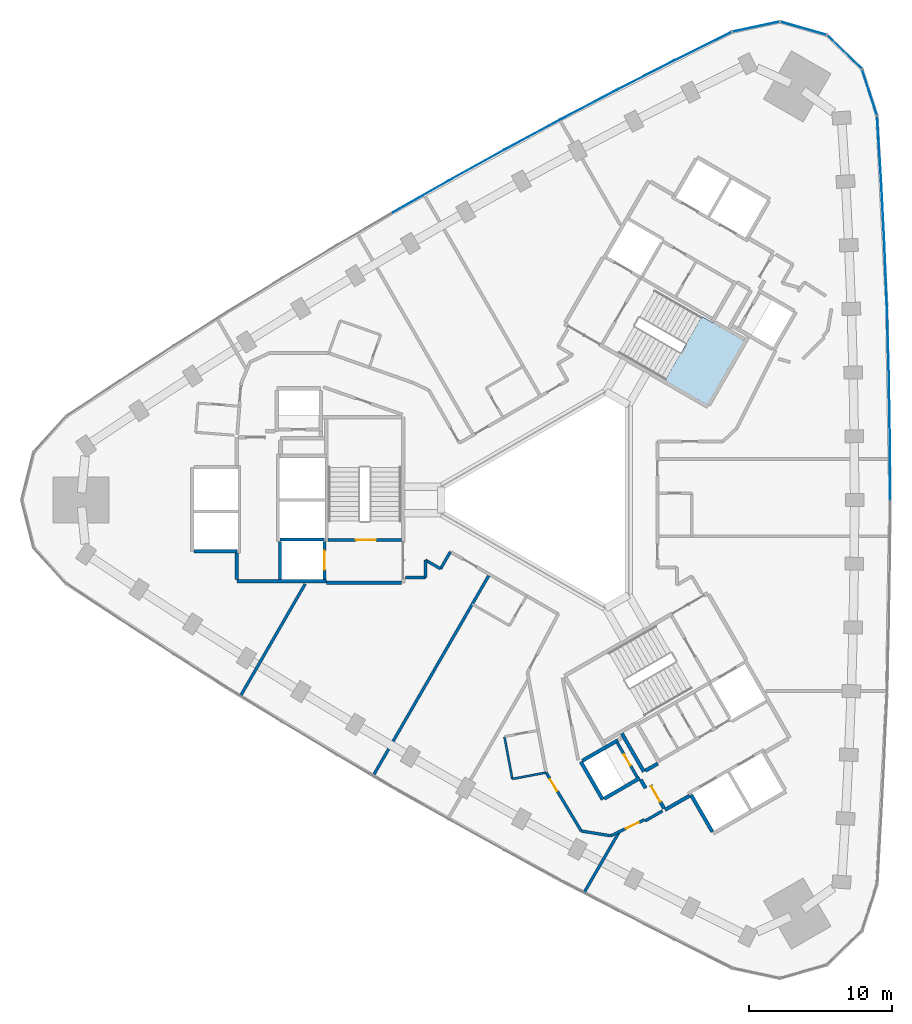
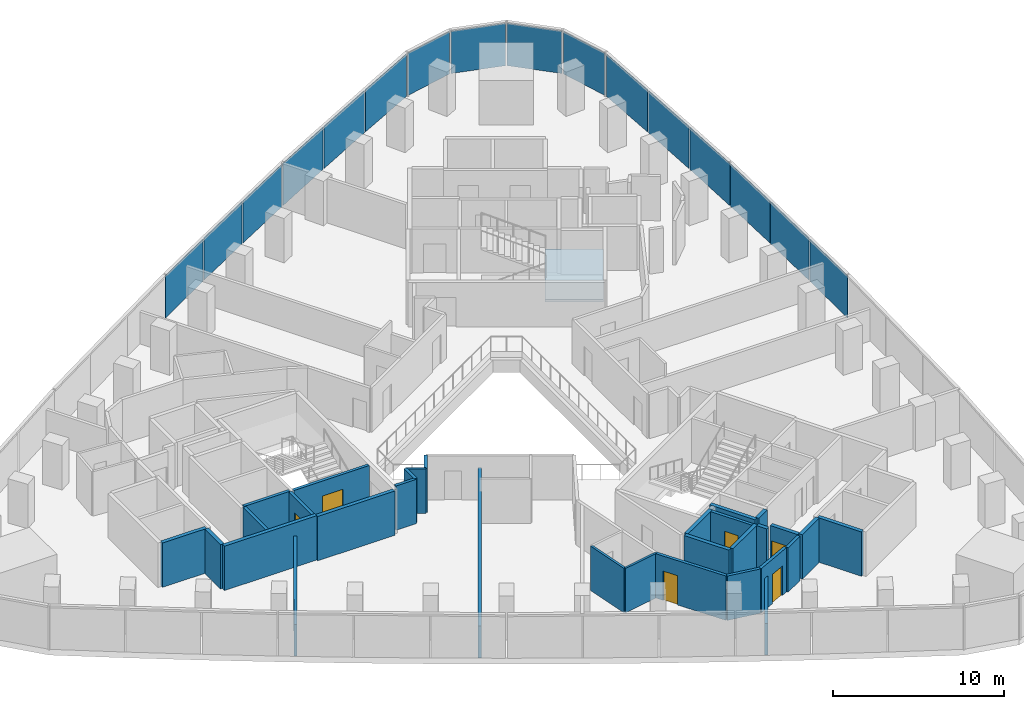
# One storey, part 7 of 12: 31 walls, 16 plates, 6 doors, 1 slab, 6 openings, 3 elements without a shape of their own.
"""IFC4 building model written with IfcOpenShell, lengths in metres."""

from ifc_helpers import new_model, si_unit, direction, frame, frame_2d, origin, origin_2d, place, context, subcontext, project, spatial, polyline, rectangle, outline, extrude, material, layer, layer_set, type_object, element, fill, aggregate, save


model = new_model("IFC4")

# Units and contexts
model_context = context("Model", 3, precision=1e-05, world=origin(), true_north=direction((0.0, 1.0)))
body_context = subcontext(model_context, "Body", "Model", "MODEL_VIEW")
ifc_project = project(units=[si_unit("LENGTHUNIT", "METRE"), si_unit("AREAUNIT", "SQUARE_METRE"), si_unit("VOLUMEUNIT", "CUBIC_METRE"), si_unit("PLANEANGLEUNIT", "RADIAN"), si_unit("MASSUNIT", "GRAM", prefix="KILO")], contexts=[model_context])

# Site, building, storey
site_placement = place(None, origin())
site = spatial("IfcSite", under=ifc_project, at=site_placement, CompositionType="ELEMENT")
building_placement = place(site_placement, origin())
building = spatial("IfcBuilding", under=site, at=building_placement, Name="Tamra Quay Hotel Tower", CompositionType="ELEMENT")
storey_placement = place(building_placement, frame((0.0, 0.0, 93.800048828125)))
storey = spatial("IfcBuildingStorey", under=building, at=storey_placement, Name="L22", CompositionType="ELEMENT", Elevation=93.800048828125)

# Stair, slab
ifc_material_1 = material(Name="Exit stair 2200 24 risers 150.0 going 342")
stair_type = type_object("IfcStairType", Name="Exit stair 2200 24 risers 150.0 going 342", PredefinedType="HALF_TURN_STAIR", material=ifc_material_1)
stair_placement = place(storey_placement, origin())
stair = element("IfcStair", 1, at=stair_placement, inside=storey, type_object=stair_type, Name="L22 Exit stair ST1", PredefinedType="HALF_TURN_STAIR")
ifc_material_2 = material(Name="Concrete M70", Category="concrete")
ifc_layer_1 = layer(ifc_material_2, 0.175048828125)
ifc_layer_set_1 = layer_set([ifc_layer_1], Name="Concrete M70 stair landing 180")
slab_type = type_object("IfcSlabType", Name="Concrete M70 stair landing 180", PredefinedType="LANDING", material=ifc_layer_set_1)
slab_placement = place(storey_placement, frame((0.0, 0.0, 1.625)))
slab = element("IfcSlab", 2, at=slab_placement, type_object=slab_type, Name="ST1 landing 1", PredefinedType="LANDING", context=body_context, shape_type="SweptSolid", body=[
    extrude(outline(polyline([(7.425048828125, 8.336669921875), (10.385009765625, 6.627685546875), (12.964599609375, 11.095458984375), (10.00439453125, 12.804443359375), (7.425048828125, 8.336669921875)])), origin(), (0.0, 0.0, 1.0), 0.175048828125),
])
aggregate(stair, [slab])

# Curtain wall, plates
ifc_material_3 = material(Name="Aluminium 6063 anodised dark grey", Category="aluminium")
curtain_wall_type_1 = type_object("IfcCurtainWallType", Name="CW1 CURTAIN WALL", PredefinedType="NOTDEFINED", material=ifc_material_3)
curtain_wall_1_placement = place(storey_placement, origin())
curtain_wall_1 = element("IfcCurtainWall", 3, at=curtain_wall_1_placement, inside=storey, type_object=curtain_wall_type_1, Name="CW1 east face L22", PredefinedType="NOTDEFINED")
ifc_material_4 = material(Name="Glass clear laminated low-iron", Category="glass")
ifc_layer_2 = layer(ifc_material_4, 0.033935546875)
ifc_layer_set_2 = layer_set([ifc_layer_2], Name="GLASS PANEL CW1 Z2")
plate_type_1 = type_object("IfcPlateType", Name="GLASS PANEL CW1 Z2", PredefinedType="CURTAIN_PANEL", material=ifc_layer_set_2)
plate_1_placement = place(storey_placement, frame((23.132080078125, 2.236572265625, 0.0), z_axis=(0.0, 0.0, 1.0), x_axis=(-0.00571269185, 0.999983682443, 0.0)))
plate_1 = element("IfcPlate", 4, at=plate_1_placement, type_object=plate_type_1, Name="CW1 glass L22.E.7", PredefinedType="CURTAIN_PANEL", context=body_context, shape_type="SweptSolid", body=[
    extrude(rectangle(XDim=4.373291015625, YDim=0.033935546875, at=origin_2d()), origin(), (0.0, 0.0, 1.0), 3.034912109375),
])
plate_2_placement = place(storey_placement, frame((23.080810546875, 6.70947265625, 0.0), z_axis=(0.0, 0.0, 1.0), x_axis=(-0.017133948461, 0.99985320313, 0.0)))
plate_2 = element("IfcPlate", 5, at=plate_2_placement, type_object=plate_type_1, Name="CW1 glass L22.E.8", PredefinedType="CURTAIN_PANEL", context=body_context, shape_type="SweptSolid", body=[
    extrude(rectangle(XDim=4.373291015625, YDim=0.033935546875, at=origin_2d()), origin(), (0.0, 0.0, 1.0), 3.034912109375),
])
plate_3_placement = place(storey_placement, frame((22.978759765625, 11.181396484375, 0.0), z_axis=(0.0, 0.0, 1.0), x_axis=(-0.028546324212, 0.999592470647, 0.0)))
plate_3 = element("IfcPlate", 6, at=plate_3_placement, type_object=plate_type_1, Name="CW1 glass L22.E.9", PredefinedType="CURTAIN_PANEL", context=body_context, shape_type="SweptSolid", body=[
    extrude(rectangle(XDim=4.373291015625, YDim=0.033935546875, at=origin_2d()), origin(), (0.0, 0.0, 1.0), 3.034912109375),
])
plate_4_placement = place(storey_placement, frame((22.825439453125, 15.652099609375, 0.0), z_axis=(0.0, 0.0, 1.0), x_axis=(-0.039943885581, 0.99920192454, 0.0)))
plate_4 = element("IfcPlate", 7, at=plate_4_placement, type_object=plate_type_1, Name="CW1 glass L22.E.10", PredefinedType="CURTAIN_PANEL", context=body_context, shape_type="SweptSolid", body=[
    extrude(rectangle(XDim=4.373291015625, YDim=0.033935546875, at=origin_2d()), origin(), (0.0, 0.0, 1.0), 3.034912109375),
])
plate_5_placement = place(storey_placement, frame((22.621337890625, 20.12060546875, 0.0), z_axis=(0.0, 0.0, 1.0), x_axis=(-0.051320736558, 0.998682222731, 0.0)))
plate_5 = element("IfcPlate", 8, at=plate_5_placement, type_object=plate_type_1, Name="CW1 glass L22.E.11", PredefinedType="CURTAIN_PANEL", context=body_context, shape_type="SweptSolid", body=[
    extrude(rectangle(XDim=4.373291015625, YDim=0.033935546875, at=origin_2d()), origin(), (0.0, 0.0, 1.0), 3.034912109375),
])
plate_6_placement = place(storey_placement, frame((22.366455078125, 24.5859375, 0.0), z_axis=(0.0, 0.0, 1.0), x_axis=(-0.062669917068, 0.998034308776, 0.0)))
plate_6 = element("IfcPlate", 9, at=plate_6_placement, type_object=plate_type_1, Name="CW1 glass L22.E.12", PredefinedType="CURTAIN_PANEL", context=body_context, shape_type="SweptSolid", body=[
    extrude(rectangle(XDim=4.372314453125, YDim=0.033935546875, at=origin_2d()), origin(), (0.0, 0.0, 1.0), 3.034912109375),
])
plate_7_placement = place(storey_placement, frame((21.70166015625, 28.43994140625, 0.0), z_axis=(0.0, 0.0, 1.0), x_axis=(-0.307790863622, 0.951454036867, 0.0)))
plate_7 = element("IfcPlate", 10, at=plate_7_placement, type_object=plate_type_1, Name="CW1 glass L22.E.13", PredefinedType="CURTAIN_PANEL", context=body_context, shape_type="SweptSolid", body=[
    extrude(rectangle(XDim=3.31005859375, YDim=0.033935546875, at=origin_2d()), origin(), (0.0, 0.0, 1.0), 3.034912109375),
])
plate_8_placement = place(storey_placement, frame((19.95068359375, 31.247314453125, 0.0), z_axis=(0.0, 0.0, 1.0), x_axis=(-0.71904127153, 0.694967373217, 0.0)))
plate_8 = element("IfcPlate", 11, at=plate_8_placement, type_object=plate_type_1, Name="CW1 glass L22.E.14", PredefinedType="CURTAIN_PANEL", context=body_context, shape_type="SweptSolid", body=[
    extrude(rectangle(XDim=3.31005859375, YDim=0.033935546875, at=origin_2d()), origin(), (0.0, 0.0, 1.0), 3.034912109375),
])
plate_9_placement = place(storey_placement, frame((17.08544921875, 32.9013671875, 0.0), z_axis=(0.0, 0.0, 1.0), x_axis=(-0.961380035772, 0.275224320906, 0.0)))
plate_9 = element("IfcPlate", 12, at=plate_9_placement, type_object=plate_type_1, Name="CW1 glass L22.E.15", PredefinedType="CURTAIN_PANEL", context=body_context, shape_type="SweptSolid", body=[
    extrude(rectangle(XDim=3.31005859375, YDim=0.033935546875, at=origin_2d()), origin(), (0.0, 0.0, 1.0), 3.034912109375),
])
plate_10_placement = place(storey_placement, frame((13.779052734375, 33.01416015625, 0.0), z_axis=(0.0, 0.0, 1.0), x_axis=(-0.977878798271, -0.209172311484, 0.0)))
plate_10 = element("IfcPlate", 13, at=plate_10_placement, type_object=plate_type_1, Name="CW1 glass L22.E.16", PredefinedType="CURTAIN_PANEL", context=body_context, shape_type="SweptSolid", body=[
    extrude(rectangle(XDim=3.31005859375, YDim=0.033935546875, at=origin_2d()), origin(), (0.0, 0.0, 1.0), 3.034912109375),
])
aggregate(curtain_wall_1, [plate_1, plate_2, plate_3, plate_4, plate_5, plate_6, plate_7, plate_8, plate_9, plate_10])

curtain_wall_type_2 = type_object("IfcCurtainWallType", Name="CW2 CURTAIN WALL", PredefinedType="NOTDEFINED", material=ifc_material_3)
curtain_wall_2_placement = place(storey_placement, origin())
curtain_wall_2 = element("IfcCurtainWall", 14, at=curtain_wall_2_placement, inside=storey, type_object=curtain_wall_type_2, Name="CW2 north-west face L22", PredefinedType="NOTDEFINED")
ifc_layer_3 = layer(ifc_material_4, 0.033935546875)
ifc_layer_set_3 = layer_set([ifc_layer_3], Name="GLASS PANEL CW2 Z2")
plate_type_2 = type_object("IfcPlateType", Name="GLASS PANEL CW2 Z2", PredefinedType="CURTAIN_PANEL", material=ifc_layer_set_3)
plate_11_placement = place(storey_placement, frame((10.10888671875, 31.662841796875, 0.0), z_axis=(0.0, 0.0, 1.0), x_axis=(-0.895658023783, -0.444743414154, 0.0)))
plate_11 = element("IfcPlate", 15, at=plate_11_placement, type_object=plate_type_2, Name="CW2 glass L22.NW.1", PredefinedType="CURTAIN_PANEL", context=body_context, shape_type="SweptSolid", body=[
    extrude(rectangle(XDim=4.372314453125, YDim=0.033935546875, at=origin_2d()), origin(), (0.0, 0.0, 1.0), 3.034912109375),
])
plate_12_placement = place(storey_placement, frame((6.1142578125, 29.65087890625, 0.0), z_axis=(0.0, 0.0, 1.0), x_axis=(-0.890544543472, -0.454896049765, 0.0)))
plate_12 = element("IfcPlate", 16, at=plate_12_placement, type_object=plate_type_2, Name="CW2 glass L22.NW.2", PredefinedType="CURTAIN_PANEL", context=body_context, shape_type="SweptSolid", body=[
    extrude(rectangle(XDim=4.373291015625, YDim=0.033935546875, at=origin_2d()), origin(), (0.0, 0.0, 1.0), 3.034912109375),
])
plate_13_placement = place(storey_placement, frame((2.142333984375, 27.593505859375, 0.0), z_axis=(0.0, 0.0, 1.0), x_axis=(-0.885306192952, -0.465008542631, 0.0)))
plate_13 = element("IfcPlate", 17, at=plate_13_placement, type_object=plate_type_2, Name="CW2 glass L22.NW.3", PredefinedType="CURTAIN_PANEL", context=body_context, shape_type="SweptSolid", body=[
    extrude(rectangle(XDim=4.373291015625, YDim=0.033935546875, at=origin_2d()), origin(), (0.0, 0.0, 1.0), 3.034912109375),
])
plate_14_placement = place(storey_placement, frame((-1.805908203125, 25.490966796875, 0.0), z_axis=(0.0, 0.0, 1.0), x_axis=(-0.879945635118, -0.475074393371, 0.0)))
plate_14 = element("IfcPlate", 18, at=plate_14_placement, type_object=plate_type_2, Name="CW2 glass L22.NW.4", PredefinedType="CURTAIN_PANEL", context=body_context, shape_type="SweptSolid", body=[
    extrude(rectangle(XDim=4.373291015625, YDim=0.033935546875, at=origin_2d()), origin(), (0.0, 0.0, 1.0), 3.034912109375),
])
plate_15_placement = place(storey_placement, frame((-5.729736328125, 23.34326171875, 0.0), z_axis=(0.0, 0.0, 1.0), x_axis=(-0.874465248197, -0.485088166931, 0.0)))
plate_15 = element("IfcPlate", 19, at=plate_15_placement, type_object=plate_type_2, Name="CW2 glass L22.NW.5", PredefinedType="CURTAIN_PANEL", context=body_context, shape_type="SweptSolid", body=[
    extrude(rectangle(XDim=4.373291015625, YDim=0.033935546875, at=origin_2d()), origin(), (0.0, 0.0, 1.0), 3.034912109375),
])
plate_16_placement = place(storey_placement, frame((-9.629150390625, 21.151123046875, 0.0), z_axis=(0.0, 0.0, 1.0), x_axis=(-0.86886761829, -0.495044504955, 0.0)))
plate_16 = element("IfcPlate", 20, at=plate_16_placement, type_object=plate_type_2, Name="CW2 glass L22.NW.6", PredefinedType="CURTAIN_PANEL", context=body_context, shape_type="SweptSolid", body=[
    extrude(rectangle(XDim=4.373291015625, YDim=0.033935546875, at=origin_2d()), origin(), (0.0, 0.0, 1.0), 3.034912109375),
])
aggregate(curtain_wall_2, [plate_11, plate_12, plate_13, plate_14, plate_15, plate_16])

# Wall, opening, door
ifc_layer_4 = layer(ifc_material_2, 0.199951171875)
ifc_layer_set_4 = layer_set([ifc_layer_4], Name="Concrete M70 core wall 200")
wall_type_1 = type_object("IfcWallType", Name="Concrete M70 core wall 200", PredefinedType="SHEAR", material=ifc_layer_set_4)
wall_1_placement = place(storey_placement, frame((-10.96337890625, -2.800048828125, 0.0), z_axis=(0.0, 0.0, 1.0), x_axis=(-1.0, 0.0, 0.0)))
wall_1 = element("IfcWall", 21, at=wall_1_placement, inside=storey, type_object=wall_type_1, Name="CW2", PredefinedType="SHEAR", context=body_context, shape_type="SweptSolid", body=[
    extrude(rectangle(XDim=5.097900390625, YDim=0.199951171875, at=frame_2d((2.548828125, 0.0))), origin(), (0.0, 0.0, 1.0), 3.175048828125),
])
opening_1_placement = place(wall_1_placement, frame((1.77392578125, 0.0, 0.0)))
opening_1 = element("IfcOpeningElement", 22, at=opening_1_placement, cuts=wall_1, Name="Opening FD2", PredefinedType="OPENING", context=body_context, shape_type="SweptSolid", body=[
    extrude(rectangle(XDim=1.39990234375, YDim=2.10009765625, at=frame_2d((0.699951171875, 1.050048828125))), frame((0.0, 0.10986328125, 0.0), z_axis=(0.0, -1.0, 0.0), x_axis=(1.0, 0.0, 0.0)), (0.0, 0.0, 1.0), 0.219970703125),
])
ifc_material_5 = material(Name="Core door FD2 1400x2100 LH")
door_type_1 = type_object("IfcDoorType", Name="Core door FD2 1400x2100 LH", OperationType="NOTDEFINED", PredefinedType="DOOR", material=ifc_material_5)
door_1_placement = place(opening_1_placement, origin())
door_1 = element("IfcDoor", 23, at=door_1_placement, inside=storey, type_object=door_type_1, Name="FD2", OperationType="SINGLE_SWING_LEFT", OverallHeight=2.10009765625, OverallWidth=1.39990234375, PredefinedType="DOOR", context=body_context, shape_type="SweptSolid", body=[
    extrude(rectangle(XDim=1.39990234375, YDim=2.10009765625, at=frame_2d((0.699951171875, 1.050048828125))), frame((0.0, 0.02490234375, 0.0), z_axis=(0.0, -1.0, 0.0), x_axis=(1.0, 0.0, 0.0)), (0.0, 0.0, 1.0), 0.050048828125),
])
fill(opening_1, door_1)

# Wall
wall_2_placement = place(storey_placement, frame((-19.412353515625, -2.75, 0.0), z_axis=(0.0, 0.0, 1.0), x_axis=(1.0, 0.0, 0.0)))
element("IfcWall", 24, at=wall_2_placement, inside=storey, type_object=wall_type_1, Name="CW2", PredefinedType="SHEAR", context=body_context, shape_type="SweptSolid", body=[
    extrude(rectangle(XDim=3.10009765625, YDim=0.199951171875, at=frame_2d((1.550048828125, 0.0))), origin(), (0.0, 0.0, 1.0), 3.175048828125),
])

# Wall, opening, door
wall_3_placement = place(storey_placement, frame((-16.312255859375, -2.898193359375, 0.0), z_axis=(0.0, 0.0, 1.0), x_axis=(0.0, -1.0, 0.0)))
wall_3 = element("IfcWall", 25, at=wall_3_placement, inside=storey, type_object=wall_type_1, Name="CW2", PredefinedType="SHEAR", context=body_context, shape_type="SweptSolid", body=[
    extrude(rectangle(XDim=2.65087890625, YDim=0.199951171875, at=frame_2d((1.325439453125, 0.0))), origin(), (0.0, 0.0, 1.0), 3.175048828125),
])
opening_2_placement = place(wall_3_placement, frame((0.65185546875, 0.0, 0.0)))
opening_2 = element("IfcOpeningElement", 26, at=opening_2_placement, cuts=wall_3, Name="Opening LD", PredefinedType="OPENING", context=body_context, shape_type="SweptSolid", body=[
    extrude(rectangle(XDim=1.300048828125, YDim=2.10009765625, at=frame_2d((0.64990234375, 1.050048828125))), frame((0.0, 0.10986328125, 0.0), z_axis=(0.0, -1.0, 0.0), x_axis=(1.0, 0.0, 0.0)), (0.0, 0.0, 1.0), 0.219970703125),
])
ifc_material_6 = material(Name="Landing door LD 1300 sliding to left")
door_type_2 = type_object("IfcDoorType", Name="Landing door LD 1300 sliding to left", OperationType="NOTDEFINED", PredefinedType="DOOR", material=ifc_material_6)
door_2_placement = place(opening_2_placement, origin())
door_2 = element("IfcDoor", 27, at=door_2_placement, inside=storey, type_object=door_type_2, Name="LD", OperationType="SLIDING_TO_LEFT", OverallHeight=2.10009765625, OverallWidth=1.300048828125, PredefinedType="DOOR", context=body_context, shape_type="SweptSolid", body=[
    extrude(rectangle(XDim=1.300048828125, YDim=2.10009765625, at=frame_2d((0.64990234375, 1.050048828125))), frame((0.0, 0.02490234375, 0.0), z_axis=(0.0, -1.0, 0.0), x_axis=(1.0, 0.0, 0.0)), (0.0, 0.0, 1.0), 0.050048828125),
])
fill(opening_2, door_2)

# Wall
wall_4_placement = place(storey_placement, frame((-19.412353515625, -5.549072265625, 0.0), z_axis=(0.0, 0.0, 1.0), x_axis=(0.0, 1.0, 0.0)))
element("IfcWall", 28, at=wall_4_placement, inside=storey, type_object=wall_type_1, Name="CW2", PredefinedType="SHEAR", context=body_context, shape_type="SweptSolid", body=[
    extrude(rectangle(XDim=2.65087890625, YDim=0.199951171875, at=frame_2d((1.325439453125, 0.0))), origin(), (0.0, 0.0, 1.0), 3.175048828125),
])

# Wall, opening, door
wall_5_placement = place(storey_placement, frame((5.50341796875, -19.352294921875, 0.0), z_axis=(0.0, 0.0, 1.0), x_axis=(-0.499986818241, 0.866033014143, 0.0)))
wall_5 = element("IfcWall", 29, at=wall_5_placement, inside=storey, type_object=wall_type_1, Name="CW2", PredefinedType="SHEAR", context=body_context, shape_type="SweptSolid", body=[
    extrude(rectangle(XDim=2.7978515625, YDim=0.199951171875, at=frame_2d((1.39892578125, 0.0))), origin(), (0.0, 0.0, 1.0), 3.175048828125),
])
opening_3_placement = place(wall_5_placement, frame((0.948974609375, 0.0, 0.0)))
opening_3 = element("IfcOpeningElement", 30, at=opening_3_placement, cuts=wall_5, Name="Opening D1", PredefinedType="OPENING", context=body_context, shape_type="SweptSolid", body=[
    extrude(rectangle(XDim=0.89990234375, YDim=2.10009765625, at=frame_2d((0.449951171875, 1.050048828125))), frame((0.0, 0.10986328125, 0.0), z_axis=(0.0, -1.0, 0.0), x_axis=(1.0, 0.0, 0.0)), (0.0, 0.0, 1.0), 0.219970703125),
])
ifc_material_7 = material(Name="Core door D1 900x2100 LH")
door_type_3 = type_object("IfcDoorType", Name="Core door D1 900x2100 LH", OperationType="NOTDEFINED", PredefinedType="DOOR", material=ifc_material_7)
door_3_placement = place(opening_3_placement, origin())
door_3 = element("IfcDoor", 31, at=door_3_placement, inside=storey, type_object=door_type_3, Name="D1", OperationType="SINGLE_SWING_LEFT", OverallHeight=2.10009765625, OverallWidth=0.89990234375, PredefinedType="DOOR", context=body_context, shape_type="SweptSolid", body=[
    extrude(rectangle(XDim=0.89990234375, YDim=2.10009765625, at=frame_2d((0.449951171875, 1.050048828125))), frame((0.0, 0.02490234375, 0.0), z_axis=(0.0, -1.0, 0.0), x_axis=(1.0, 0.0, 0.0)), (0.0, 0.0, 1.0), 0.050048828125),
])
fill(opening_3, door_3)

# Walls
ifc_layer_5 = layer(ifc_material_2, 0.25)
ifc_layer_set_5 = layer_set([ifc_layer_5], Name="Concrete M70 core wall 250")
wall_type_2 = type_object("IfcWallType", Name="Concrete M70 core wall 250", PredefinedType="SHEAR", material=ifc_layer_set_5)
wall_6_placement = place(storey_placement, frame((-16.187255859375, -5.675048828125, 0.0), z_axis=(0.0, 0.0, 1.0), x_axis=(-1.0, 0.0, 0.0)))
element("IfcWall", 32, at=wall_6_placement, inside=storey, type_object=wall_type_2, Name="CW1", PredefinedType="SHEAR", context=body_context, shape_type="SweptSolid", body=[
    extrude(rectangle(XDim=6.25, YDim=0.25, at=frame_2d((3.125, 0.0))), origin(), (0.0, 0.0, 1.0), 3.175048828125),
])
wall_7_placement = place(storey_placement, frame((-10.962646484375, -5.77490234375, 0.0), z_axis=(0.0, 0.0, 1.0), x_axis=(-1.0, 0.0, 0.0)))
element("IfcWall", 33, at=wall_7_placement, inside=storey, type_object=wall_type_2, Name="CW1", PredefinedType="SHEAR", context=body_context, shape_type="SweptSolid", body=[
    extrude(rectangle(XDim=5.224609375, YDim=0.25, at=frame_2d((2.6123046875, 0.0))), origin(), (0.0, 0.0, 1.0), 3.175048828125),
])
wall_8_placement = place(storey_placement, frame((-22.437255859375, -3.574951171875, 0.0), z_axis=(0.0, 0.0, 1.0), x_axis=(-1.0, 0.0, 0.0)))
element("IfcWall", 34, at=wall_8_placement, inside=storey, type_object=wall_type_2, Name="CW1", PredefinedType="SHEAR", context=body_context, shape_type="SweptSolid", body=[
    extrude(rectangle(XDim=2.974609375, YDim=0.25, at=frame_2d((1.4873046875, 0.0))), origin(), (0.0, 0.0, 1.0), 3.175048828125),
])
wall_9_placement = place(storey_placement, frame((-22.437255859375, -5.549560546875, 0.0), z_axis=(0.0, 0.0, 1.0), x_axis=(0.0, 1.0, 0.0)))
element("IfcWall", 35, at=wall_9_placement, inside=storey, type_object=wall_type_2, Name="CW1", PredefinedType="SHEAR", context=body_context, shape_type="SweptSolid", body=[
    extrude(rectangle(XDim=1.84912109375, YDim=0.25, at=frame_2d((0.924560546875, 0.0))), origin(), (0.0, 0.0, 1.0), 3.175048828125),
])
wall_10_placement = place(storey_placement, frame((10.73583984375, -23.144775390625, 0.0), z_axis=(0.0, 0.0, 1.0), x_axis=(-0.500023226632, 0.866011993467, 0.0)))
element("IfcWall", 36, at=wall_10_placement, inside=storey, type_object=wall_type_2, Name="CW1", PredefinedType="SHEAR", context=body_context, shape_type="SweptSolid", body=[
    extrude(rectangle(XDim=2.974365234375, YDim=0.25, at=frame_2d((1.4873046875, 0.0))), origin(), (0.0, 0.0, 1.0), 3.175048828125),
])
wall_11_placement = place(storey_placement, frame((3.085205078125, -20.893798828125, 0.0), z_axis=(0.0, 0.0, 1.0), x_axis=(-0.499978833458, 0.866037623948, 0.0)))
element("IfcWall", 37, at=wall_11_placement, inside=storey, type_object=wall_type_2, Name="CW1", PredefinedType="SHEAR", context=body_context, shape_type="SweptSolid", body=[
    extrude(rectangle(XDim=3.050048828125, YDim=0.25, at=frame_2d((1.52490234375, 0.0))), origin(), (0.0, 0.0, 1.0), 3.175048828125),
])
wall_12_placement = place(storey_placement, frame((1.6689453125, -18.189697265625, 0.0), z_axis=(0.0, 0.0, 1.0), x_axis=(0.866042235819, 0.499970844928, 0.0)))
element("IfcWall", 38, at=wall_12_placement, inside=storey, type_object=wall_type_2, Name="CW1", PredefinedType="SHEAR", context=body_context, shape_type="SweptSolid", body=[
    extrude(rectangle(XDim=2.864501953125, YDim=0.25, at=frame_2d((1.43212890625, 0.0))), origin(), (0.0, 0.0, 1.0), 3.175048828125),
])
wall_13_placement = place(storey_placement, frame((5.6748046875, -19.39892578125, 0.0), z_axis=(0.0, 0.0, 1.0), x_axis=(-0.866026637627, -0.499997862916, 0.0)))
element("IfcWall", 39, at=wall_13_placement, inside=storey, type_object=wall_type_2, Name="CW1", PredefinedType="SHEAR", context=body_context, shape_type="SweptSolid", body=[
    extrude(rectangle(XDim=2.86474609375, YDim=0.25, at=frame_2d((1.432373046875, 0.0))), origin(), (0.0, 0.0, 1.0), 3.175048828125),
])
wall_14_placement = place(storey_placement, frame((4.414306640625, -16.275634765625, 0.0), z_axis=(0.0, 0.0, 1.0), x_axis=(0.500003324108, -0.866023484601, 0.0)))
element("IfcWall", 40, at=wall_14_placement, inside=storey, type_object=wall_type_2, Name="CW1", PredefinedType="SHEAR", context=body_context, shape_type="SweptSolid", body=[
    extrude(rectangle(XDim=3.0849609375, YDim=0.25, at=frame_2d((1.54248046875, 0.0))), origin(), (0.0, 0.0, 1.0), 3.175048828125),
])
wall_15_placement = place(storey_placement, frame((9.139892578125, -20.63134765625, 0.0), z_axis=(0.0, 0.0, 1.0), x_axis=(-0.866043531843, -0.499968599967, 0.0)))
element("IfcWall", 41, at=wall_15_placement, inside=storey, type_object=wall_type_2, Name="CW1", PredefinedType="SHEAR", context=body_context, shape_type="SweptSolid", body=[
    extrude(rectangle(XDim=1.974853515625, YDim=0.25, at=frame_2d((0.9873046875, 0.0))), origin(), (0.0, 0.0, 1.0), 3.175048828125),
])

# Wall, opening, door
wall_16_placement = place(storey_placement, frame((7.3671875, -21.51025390625, 0.0), z_axis=(0.0, 0.0, 1.0), x_axis=(-0.499983108224, 0.866035156036, 0.0)))
wall_16 = element("IfcWall", 42, at=wall_16_placement, inside=storey, type_object=wall_type_2, Name="CW1", PredefinedType="SHEAR", context=body_context, shape_type="SweptSolid", body=[
    extrude(rectangle(XDim=1.86474609375, YDim=0.25, at=frame_2d((0.932373046875, 0.0))), origin(), (0.0, 0.0, 1.0), 3.175048828125),
])
opening_4_placement = place(wall_16_placement, frame((0.53466796875, 0.0, 0.0)))
opening_4 = element("IfcOpeningElement", 43, at=opening_4_placement, cuts=wall_16, Name="Opening FD3", PredefinedType="OPENING", context=body_context, shape_type="SweptSolid", body=[
    extrude(rectangle(XDim=1.25, YDim=2.10009765625, at=frame_2d((0.625, 1.050048828125))), frame((0.0, 0.135009765625, 0.0), z_axis=(0.0, -1.0, 0.0), x_axis=(1.0, 0.0, 0.0)), (0.0, 0.0, 1.0), 0.27001953125),
])
ifc_material_8 = material(Name="Core door FD3 1250x2100 LH")
door_type_4 = type_object("IfcDoorType", Name="Core door FD3 1250x2100 LH", OperationType="NOTDEFINED", PredefinedType="DOOR", material=ifc_material_8)
door_4_placement = place(opening_4_placement, origin())
door_4 = element("IfcDoor", 44, at=door_4_placement, inside=storey, type_object=door_type_4, Name="FD3", OperationType="SINGLE_SWING_LEFT", OverallHeight=2.10009765625, OverallWidth=1.25, PredefinedType="DOOR", context=body_context, shape_type="SweptSolid", body=[
    extrude(rectangle(XDim=1.25, YDim=2.10009765625, at=frame_2d((0.625, 1.050048828125))), frame((0.0, 0.02490234375, 0.0), z_axis=(0.0, -1.0, 0.0), x_axis=(1.0, 0.0, 0.0)), (0.0, 0.0, 1.0), 0.050048828125),
])
fill(opening_4, door_4)

# Walls
wall_17_placement = place(storey_placement, frame((6.0654296875, -18.884765625, 0.0), z_axis=(0.0, 0.0, 1.0), x_axis=(0.866017078145, 0.500014420154, 0.0)))
element("IfcWall", 45, at=wall_17_placement, inside=storey, type_object=wall_type_2, Name="CW1", PredefinedType="SHEAR", context=body_context, shape_type="SweptSolid", body=[
    extrude(rectangle(XDim=0.9892578125, YDim=0.25, at=frame_2d((0.49462890625, 0.0))), origin(), (0.0, 0.0, 1.0), 3.175048828125),
])
wall_18_placement = place(storey_placement, frame((6.07958984375, -20.100341796875, 0.0), z_axis=(0.0, 0.0, 1.0), x_axis=(-0.500051773299, 0.865995510393, 0.0)))
element("IfcWall", 46, at=wall_18_placement, inside=storey, type_object=wall_type_2, Name="CW1", PredefinedType="SHEAR", context=body_context, shape_type="SweptSolid", body=[
    extrude(rectangle(XDim=0.6845703125, YDim=0.25, at=frame_2d((0.34228515625, 0.0))), origin(), (0.0, 0.0, 1.0), 3.175048828125),
])
ifc_material_9 = material(Name="Partition corridor wall")
ifc_layer_6 = layer(ifc_material_9, 0.199951171875)
ifc_layer_set_6 = layer_set([ifc_layer_6], Name="Partition corridor wall")
wall_type_3 = type_object("IfcWallType", Name="Partition corridor wall", PredefinedType="PARTITIONING", material=ifc_layer_set_6)
wall_19_placement = place(storey_placement, frame((-10.65234375, -5.39990234375, 0.0), z_axis=(0.0, 0.0, 1.0), x_axis=(1.0, 0.0, 0.0)))
element("IfcWall", 47, at=wall_19_placement, inside=storey, type_object=wall_type_3, Name="W-C", PredefinedType="PARTITIONING", context=body_context, shape_type="SweptSolid", body=[
    extrude(rectangle(XDim=1.390380859375, YDim=0.199951171875, at=frame_2d((0.6953125, 0.0))), origin(), (0.0, 0.0, 1.0), 3.175048828125),
])
for number, where, z_axis, x_axis, name in (
    (48, (-9.261962890625, -5.39990234375, 0.0), (0.0, 0.0, 1.0), (0.0, 1.0, 0.0), "W-C"),
    (49, (-9.261962890625, -4.199951171875, 0.0), (0.0, 0.0, 1.0), (0.865955154139, -0.50012165622, 0.0), "W-C"),
):
    element("IfcWall", number, at=place(storey_placement, frame(where, z_axis=z_axis, x_axis=x_axis)), inside=storey, type_object=wall_type_3, Name=name, PredefinedType="PARTITIONING", context=body_context, shape_type="SweptSolid", body=[
        extrude(rectangle(XDim=1.199951171875, YDim=0.199951171875, at=frame_2d((0.60009765625, 0.0))), origin(), (0.0, 0.0, 1.0), 3.175048828125),
    ])
wall_20_placement = place(storey_placement, frame((-8.222900390625, -4.800048828125, 0.0), z_axis=(0.0, 0.0, 1.0), x_axis=(0.499804837697, 0.866138051476, 0.0)))
element("IfcWall", 50, at=wall_20_placement, inside=storey, type_object=wall_type_3, Name="W-C", PredefinedType="PARTITIONING", context=body_context, shape_type="SweptSolid", body=[
    extrude(rectangle(XDim=1.3681640625, YDim=0.199951171875, at=frame_2d((0.68408203125, 0.0))), origin(), (0.0, 0.0, 1.0), 3.175048828125),
])

# Wall, opening, door
wall_21_placement = place(storey_placement, frame((-0.85791015625, -19.01708984375, 0.0), z_axis=(0.0, 0.0, 1.0), x_axis=(0.514586543775, -0.857438446167, 0.0)))
wall_21 = element("IfcWall", 51, at=wall_21_placement, inside=storey, type_object=wall_type_3, Name="W-C", PredefinedType="PARTITIONING", context=body_context, shape_type="SweptSolid", body=[
    extrude(rectangle(XDim=4.745361328125, YDim=0.199951171875, at=frame_2d((2.37255859375, 0.0))), origin(), (0.0, 0.0, 1.0), 3.175048828125),
])
opening_5_placement = place(wall_21_placement, frame((0.54541015625, 0.0, 0.0)))
opening_5 = element("IfcOpeningElement", 52, at=opening_5_placement, cuts=wall_21, Name="Opening L22-D017", PredefinedType="OPENING", context=body_context, shape_type="SweptSolid", body=[
    extrude(rectangle(XDim=0.949951171875, YDim=2.10009765625, at=frame_2d((0.47509765625, 1.050048828125))), frame((0.0, 0.10986328125, 0.0), z_axis=(0.0, -1.0, 0.0), x_axis=(1.0, 0.0, 0.0)), (0.0, 0.0, 1.0), 0.219970703125),
])
ifc_material_10 = material(Name="Door guest room 950x2100")
door_type_5 = type_object("IfcDoorType", Name="Door guest room 950x2100", OperationType="NOTDEFINED", PredefinedType="DOOR", material=ifc_material_10)
door_5_placement = place(opening_5_placement, frame((0.949951171875, 0.0, 0.0), z_axis=(0.0, 0.0, 1.0), x_axis=(-1.0, 0.0, 0.0)))
door_5 = element("IfcDoor", 53, at=door_5_placement, inside=storey, type_object=door_type_5, Name="L22-D017", OperationType="SINGLE_SWING_LEFT", OverallHeight=2.10009765625, OverallWidth=0.949951171875, PredefinedType="DOOR", context=body_context, shape_type="SweptSolid", body=[
    extrude(rectangle(XDim=0.949951171875, YDim=2.10009765625, at=frame_2d((0.47509765625, 1.050048828125))), frame((0.0, 0.02490234375, 0.0), z_axis=(0.0, -1.0, 0.0), x_axis=(1.0, 0.0, 0.0)), (0.0, 0.0, 1.0), 0.050048828125),
])
fill(opening_5, door_5)

# Wall
wall_22_placement = place(storey_placement, frame((1.583984375, -23.0859375, 0.0), z_axis=(0.0, 0.0, 1.0), x_axis=(0.986633159246, -0.162957077405, 0.0)))
element("IfcWall", 54, at=wall_22_placement, inside=storey, type_object=wall_type_3, Name="W-C", PredefinedType="PARTITIONING", context=body_context, shape_type="SweptSolid", body=[
    extrude(rectangle(XDim=2.0869140625, YDim=0.199951171875, at=frame_2d((1.04345703125, 0.0))), origin(), (0.0, 0.0, 1.0), 3.175048828125),
])

# Wall, opening, door
wall_23_placement = place(storey_placement, frame((3.64306640625, -23.426025390625, 0.0), z_axis=(0.0, 0.0, 1.0), x_axis=(0.902344142508, 0.431016297233, 0.0)))
wall_23 = element("IfcWall", 55, at=wall_23_placement, inside=storey, type_object=wall_type_3, Name="W-C", PredefinedType="PARTITIONING", context=body_context, shape_type="SweptSolid", body=[
    extrude(rectangle(XDim=2.616455078125, YDim=0.199951171875, at=frame_2d((1.30810546875, 0.0))), origin(), (0.0, 0.0, 1.0), 3.175048828125),
])
opening_6_placement = place(wall_23_placement, frame((1.1640625, 0.0, 0.0)))
opening_6 = element("IfcOpeningElement", 56, at=opening_6_placement, cuts=wall_23, Name="Opening L22-D019", PredefinedType="OPENING", context=body_context, shape_type="SweptSolid", body=[
    extrude(rectangle(XDim=1.0, YDim=2.10009765625, at=frame_2d((0.5, 1.050048828125))), frame((0.0, 0.10986328125, 0.0), z_axis=(0.0, -1.0, 0.0), x_axis=(1.0, 0.0, 0.0)), (0.0, 0.0, 1.0), 0.219970703125),
])
ifc_material_11 = material(Name="Door guest room 1000x2100")
door_type_6 = type_object("IfcDoorType", Name="Door guest room 1000x2100", OperationType="NOTDEFINED", PredefinedType="DOOR", material=ifc_material_11)
door_6_placement = place(opening_6_placement, frame((1.0, 0.0, 0.0), z_axis=(0.0, 0.0, 1.0), x_axis=(-1.0, 0.0, 0.0)))
door_6 = element("IfcDoor", 57, at=door_6_placement, inside=storey, type_object=door_type_6, Name="L22-D019", OperationType="SINGLE_SWING_LEFT", OverallHeight=2.10009765625, OverallWidth=1.0, PredefinedType="DOOR", context=body_context, shape_type="SweptSolid", body=[
    extrude(rectangle(XDim=1.0, YDim=2.10009765625, at=frame_2d((0.5, 1.050048828125))), frame((0.0, 0.02490234375, 0.0), z_axis=(0.0, -1.0, 0.0), x_axis=(1.0, 0.0, 0.0)), (0.0, 0.0, 1.0), 0.050048828125),
])
fill(opening_6, door_6)

# Walls
wall_24_placement = place(storey_placement, frame((6.053955078125, -22.385009765625, 0.0), z_axis=(0.0, 0.0, 1.0), x_axis=(0.86593101922, 0.500163443238, 0.0)))
element("IfcWall", 58, at=wall_24_placement, inside=storey, type_object=wall_type_3, Name="W-C", PredefinedType="PARTITIONING", context=body_context, shape_type="SweptSolid", body=[
    extrude(rectangle(XDim=1.3896484375, YDim=0.199951171875, at=frame_2d((0.69482421875, 0.0))), origin(), (0.0, 0.0, 1.0), 3.175048828125),
])
ifc_material_12 = material(Name="Partition en-suite wall")
ifc_layer_7 = layer(ifc_material_12, 0.14990234375)
ifc_layer_set_7 = layer_set([ifc_layer_7], Name="Partition en-suite wall")
wall_type_4 = type_object("IfcWallType", Name="Partition en-suite wall", PredefinedType="PARTITIONING", material=ifc_layer_set_7)
wall_25_placement = place(storey_placement, frame((-3.76806640625, -16.507080078125, 0.0), z_axis=(0.0, 0.0, 1.0), x_axis=(0.183674311555, -0.982987155193, 0.0)))
element("IfcWall", 59, at=wall_25_placement, inside=storey, type_object=wall_type_4, Name="W-E", PredefinedType="PARTITIONING", context=body_context, shape_type="SweptSolid", body=[
    extrude(rectangle(XDim=3.0, YDim=0.14990234375, at=frame_2d((1.5, 0.0))), origin(), (0.0, 0.0, 1.0), 3.175048828125),
])
wall_26_placement = place(storey_placement, frame((-3.217041015625, -19.4560546875, 0.0), z_axis=(0.0, 0.0, 1.0), x_axis=(0.982960745934, 0.183815592249, 0.0)))
element("IfcWall", 60, at=wall_26_placement, inside=storey, type_object=wall_type_4, Name="W-E", PredefinedType="PARTITIONING", context=body_context, shape_type="SweptSolid", body=[
    extrude(rectangle(XDim=2.400146484375, YDim=0.14990234375, at=frame_2d((1.2001953125, 0.0))), origin(), (0.0, 0.0, 1.0), 3.175048828125),
])
ifc_material_13 = material(Name="Partition party wall")
ifc_layer_8 = layer(ifc_material_13, 0.199951171875)
ifc_layer_set_8 = layer_set([ifc_layer_8], Name="Partition party wall")
wall_type_5 = type_object("IfcWallType", Name="Partition party wall", PredefinedType="PARTITIONING", material=ifc_layer_set_8)
wall_27_placement = place(storey_placement, frame((-22.18505859375, -13.679931640625, 0.0), z_axis=(0.0, 0.0, 1.0), x_axis=(0.499968990797, 0.866043306216, 0.0)))
element("IfcWall", 61, at=wall_27_placement, inside=storey, type_object=wall_type_5, Name="W-P", PredefinedType="PARTITIONING", context=body_context, shape_type="SweptSolid", body=[
    extrude(rectangle(XDim=9.029296875, YDim=0.199951171875, at=frame_2d((4.5146484375, 0.0))), origin(), (0.0, 0.0, 1.0), 2.27490234375),
])
wall_28_placement = place(storey_placement, frame((-12.927490234375, -19.245361328125, 0.0), z_axis=(0.0, 0.0, 1.0), x_axis=(0.500000657149, 0.866025024379, 0.0)))
element("IfcWall", 62, at=wall_28_placement, inside=storey, type_object=wall_type_5, Name="W-P", PredefinedType="PARTITIONING", context=body_context, shape_type="SweptSolid", body=[
    extrude(rectangle(XDim=16.23095703125, YDim=0.199951171875, at=frame_2d((8.115478515625, 0.0))), origin(), (0.0, 0.0, 1.0), 2.27490234375),
])
wall_29_placement = place(storey_placement, frame((1.784423828125, -27.39990234375, 0.0), z_axis=(0.0, 0.0, 1.0), x_axis=(0.499951124335, 0.866053620324, 0.0)))
element("IfcWall", 63, at=wall_29_placement, inside=storey, type_object=wall_type_5, Name="W-P", PredefinedType="PARTITIONING", context=body_context, shape_type="SweptSolid", body=[
    extrude(rectangle(XDim=5.021484375, YDim=0.199951171875, at=frame_2d((2.5107421875, 0.0))), origin(), (0.0, 0.0, 1.0), 2.27490234375),
])

save(model, "model.ifc")
